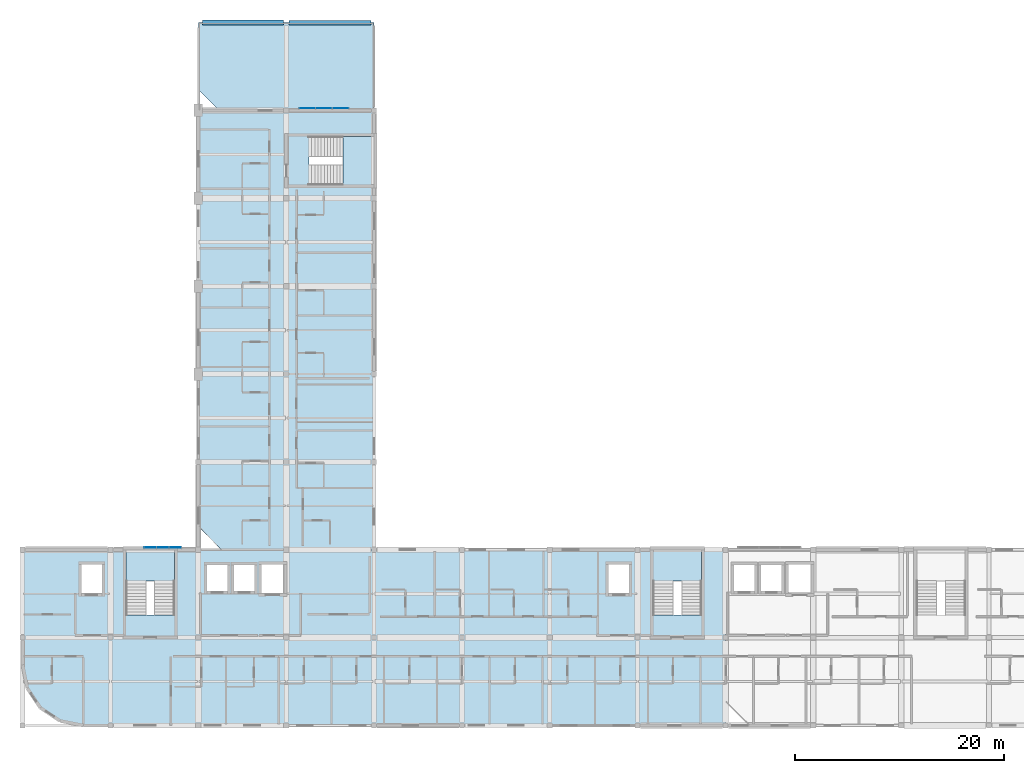
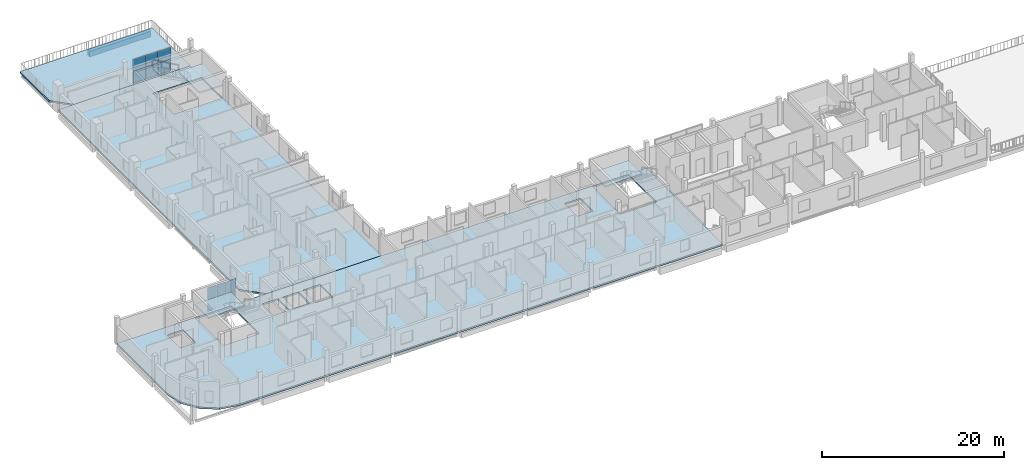
# One storey, part 7 of 20: 12 plates, 6 slabs, 2 beams, 5 elements without a shape of their own.
"""IFC4 building model written with IfcOpenShell, lengths in metres."""

import ifcopenshell
import ifcopenshell.guid

model = None  # the IFC model being written
_history = None  # IfcOwnerHistory: only IFC2X3 demands one
_inside = {}  # id of a spatial element -> (the spatial element, [elements in it])
_under = {}  # id of a project, library or spatial element -> (it, [spatial elements below it])
_declared = {}  # id of a project -> (the project, [libraries it declares])
_typed = {}  # id of a type object -> (the type object, [elements of that type])
_made_of = {}  # id of a material, layer set ... -> (it, [elements and type objects made of it])


def new_model(schema):
    """Start an empty IFC model of exactly this schema.

    Asked for "IFC4X3", IfcOpenShell would pick the latest addendum, in which some entities
    have other attributes; the version numbers below select the first issue.
    IFC2X3 requires an IfcOwnerHistory on every rooted entity: one is made here for all.
    """
    global model, _history
    if schema == "IFC4X3":
        model = ifcopenshell.file(schema_version=(4, 3, 0, 0))
    else:
        model = ifcopenshell.file(schema=schema)
    _inside.clear()
    _under.clear()
    _declared.clear()
    _typed.clear()
    _made_of.clear()
    _history = None
    if model.schema == "IFC2X3":
        org = make("IfcOrganization", Name="unknown")
        user = make(
            "IfcPersonAndOrganization",
            ThePerson=make("IfcPerson", FamilyName="unknown"),
            TheOrganization=org,
        )
        app = make(
            "IfcApplication",
            ApplicationDeveloper=org,
            Version="unknown",
            ApplicationFullName="unknown",
            ApplicationIdentifier="unknown",
        )
        _history = make(
            "IfcOwnerHistory",
            OwningUser=user,
            OwningApplication=app,
            ChangeAction="ADDED",
            CreationDate=0,
        )
    return model


def make(cls, **values):
    """One entity of the class cls with the attributes given. An attribute that is None is left unset."""
    return model.create_entity(
        cls, **{name: value for name, value in values.items() if value is not None}
    )


def rooted(cls, **values):
    """An entity with a GlobalId (a new one), such as an element, a storey or a relation."""
    return make(cls, GlobalId=ifcopenshell.guid.new(), OwnerHistory=_history, **values)


def si_unit(unit_type, name, prefix=None):
    """IfcSIUnit, for example si_unit("LENGTHUNIT", "METRE", prefix="MILLI")."""
    return make("IfcSIUnit", UnitType=unit_type, Prefix=prefix, Name=name)


def derived_unit(unit_type, elements):
    """IfcDerivedUnit: a product of units, each with its exponent."""
    return make(
        "IfcDerivedUnit",
        Elements=[
            make("IfcDerivedUnitElement", Unit=unit, Exponent=power)
            for unit, power in elements
        ],
        UnitType=unit_type,
    )


def assignment(units):
    """IfcUnitAssignment: the units of a project."""
    return None if units is None else make("IfcUnitAssignment", Units=units)


def point(xyz):
    """IfcCartesianPoint."""
    return None if xyz is None else make("IfcCartesianPoint", Coordinates=xyz)


def direction(xyz):
    """IfcDirection."""
    return None if xyz is None else make("IfcDirection", DirectionRatios=xyz)


def frame(location, z_axis=None, x_axis=None):
    """IfcAxis2Placement3D, a coordinate frame: its origin and axes. An axis left out is left unset."""
    return make(
        "IfcAxis2Placement3D",
        Location=point(location),
        Axis=direction(z_axis),
        RefDirection=direction(x_axis),
    )


def frame_2d(location, x_axis=None):
    """IfcAxis2Placement2D, a coordinate frame in the plane: its origin and x axis."""
    return make(
        "IfcAxis2Placement2D", Location=point(location), RefDirection=direction(x_axis)
    )


def origin():
    """The frame at (0, 0, 0) with its axes left unset."""
    return frame((0.0, 0.0, 0.0))


def origin_2d():
    """The frame at (0, 0) in the plane with its x axis left unset."""
    return frame_2d((0.0, 0.0))


def place(relative_to, where):
    """IfcLocalPlacement: puts the frame where relative to a parent placement (None: the world)."""
    return make(
        "IfcLocalPlacement", PlacementRelTo=relative_to, RelativePlacement=where
    )


def context(
    kind, dimensions, precision=None, world=None, true_north=None, identifier=None
):
    """IfcGeometricRepresentationContext, for example the 3D "Model" context."""
    return make(
        "IfcGeometricRepresentationContext",
        ContextIdentifier=identifier,
        ContextType=kind,
        CoordinateSpaceDimension=dimensions,
        Precision=precision,
        WorldCoordinateSystem=world,
        TrueNorth=true_north,
    )


def subcontext(parent, identifier, kind, view, scale=None):
    """IfcGeometricRepresentationSubContext, for example "Body" below "Model"."""
    return make(
        "IfcGeometricRepresentationSubContext",
        ContextIdentifier=identifier,
        ContextType=kind,
        ParentContext=parent,
        TargetScale=scale,
        TargetView=view,
    )


def project(units=None, contexts=None):
    """IfcProject with its units and contexts."""
    return rooted(
        "IfcProject",
        Name="project",
        RepresentationContexts=contexts,
        UnitsInContext=assignment(units),
    )


def spatial(cls, under=None, at=None, **own):
    """A site, building, storey or space (cls), placed at a placement, below another one or the project."""
    s = rooted(cls, ObjectPlacement=at, **own)
    if under is not None:
        _under.setdefault(under.id(), (under, []))[1].append(s)
    return s


def polyline(points):
    """IfcPolyline through the points."""
    return make("IfcPolyline", Points=[point(p) for p in points])


def profile(cls, at=None, kind="AREA", **sizes):
    """A parametric profile (cls). Its sizes go by their IFC names, for example OverallWidth=200.0."""
    return make(cls, ProfileType=kind, Position=at, **sizes)


def rectangle(**sizes):
    """IfcRectangleProfileDef."""
    return profile("IfcRectangleProfileDef", **sizes)


def outline(outer, holes=None, kind="AREA"):
    """IfcArbitraryClosedProfileDef: a profile drawn as a closed curve; with holes, ...WithVoids."""
    if holes is None:
        return make("IfcArbitraryClosedProfileDef", ProfileType=kind, OuterCurve=outer)
    return make(
        "IfcArbitraryProfileDefWithVoids",
        ProfileType=kind,
        OuterCurve=outer,
        InnerCurves=holes,
    )


def extrude(swept, where, along, depth):
    """IfcExtrudedAreaSolid: the profile swept, set in the frame where, extruded along a direction by depth."""
    return make(
        "IfcExtrudedAreaSolid",
        SweptArea=swept,
        Position=where,
        ExtrudedDirection=direction(along),
        Depth=depth,
    )


def shape(context_of_items, identifier, shape_type, items):
    """IfcShapeRepresentation: the items that make up one representation, for example the "Body"."""
    return make(
        "IfcShapeRepresentation",
        ContextOfItems=context_of_items,
        RepresentationIdentifier=identifier,
        RepresentationType=shape_type,
        Items=items,
    )


def material(Name=None, Category=None):
    """IfcMaterial."""
    return make("IfcMaterial", Name=Name, Category=Category)


def layer(
    of_material, thickness, ventilated=None, Name=None, Category=None, Priority=None
):
    """IfcMaterialLayer: one layer of a wall or slab, of a material (None: an air gap)."""
    return make(
        "IfcMaterialLayer",
        Material=of_material,
        LayerThickness=thickness,
        IsVentilated=ventilated,
        Name=Name,
        Category=Category,
        Priority=Priority,
    )


def layer_set(layers, Name=None):
    """IfcMaterialLayerSet."""
    return make("IfcMaterialLayerSet", MaterialLayers=layers, LayerSetName=Name)


def material_profile(
    of_material, cross_section, Name=None, Category=None, Priority=None
):
    """IfcMaterialProfile: a cross section and its material."""
    return make(
        "IfcMaterialProfile",
        Name=Name,
        Material=of_material,
        Profile=cross_section,
        Priority=Priority,
        Category=Category,
    )


def profile_set(profiles, Name=None, composite=None):
    """IfcMaterialProfileSet."""
    return make(
        "IfcMaterialProfileSet",
        Name=Name,
        MaterialProfiles=profiles,
        CompositeProfile=composite,
    )


def made_of(thing, what):
    """Note that an element or type object is made of a material, layer set ...; save() writes the relation."""
    if what is not None:
        _made_of.setdefault(what.id(), (what, []))[1].append(thing)
    return thing


def type_object(cls, material=None, **own):
    """A type object (cls), such as IfcWallType, which elements share."""
    return made_of(rooted(cls, **own), material)


def element(
    cls,
    number,
    at=None,
    inside=None,
    cuts=None,
    type_object=None,
    material=None,
    context=None,
    identifier="Body",
    shape_type=None,
    held_by="IfcProductDefinitionShape",
    body=None,
    shapes=None,
    **own,
):
    """One element of the class cls, such as IfcWall. Its Tag is "e" and its number.

    at: its placement. inside: the storey or other place that contains it. cuts: it is an
    opening in that element (IfcRelVoidsElement). A single representation is given by context,
    identifier, shape_type and body (its items); several are given by shapes. held_by: the class
    of the entity that holds the representations. save() writes the other relations.
    """
    e = rooted(cls, Tag="e%d" % number, ObjectPlacement=at, **own)
    if body is not None:
        shapes = [shape(context, identifier, shape_type, body)]
    if shapes is not None:
        e.Representation = make(held_by, Representations=shapes)
    if inside is not None:
        _inside.setdefault(inside.id(), (inside, []))[1].append(e)
    if cuts is not None:
        rooted(
            "IfcRelVoidsElement", RelatingBuildingElement=cuts, RelatedOpeningElement=e
        )
    if type_object is not None:
        _typed.setdefault(type_object.id(), (type_object, []))[1].append(e)
    return made_of(e, material)


def aggregate(whole, parts):
    """IfcRelAggregates: a whole, such as a stair, and the parts it consists of."""
    return rooted("IfcRelAggregates", RelatingObject=whole, RelatedObjects=parts)


def save(model, path):
    """Write the relations noted so far, then the file.

    IfcRelAggregates (storeys below a building ...), IfcRelContainedInSpatialStructure (elements
    in a storey), IfcRelDefinesByType, IfcRelAssociatesMaterial and IfcRelDeclares: one each for
    every whole, place, type object, material and project.
    """
    for whole, parts in _under.values():
        aggregate(whole, parts)
    for where, things in _inside.values():
        rooted(
            "IfcRelContainedInSpatialStructure",
            RelatedElements=things,
            RelatingStructure=where,
        )
    for kind, things in _typed.values():
        rooted("IfcRelDefinesByType", RelatedObjects=things, RelatingType=kind)
    for what, things in _made_of.values():
        rooted("IfcRelAssociatesMaterial", RelatedObjects=things, RelatingMaterial=what)
    for by, libraries in _declared.values():
        rooted("IfcRelDeclares", RelatingContext=by, RelatedDefinitions=libraries)
    model.write(path)


model = new_model("IFC4")

# Units and contexts
model_context = context("Model", 3, precision=1e-05, world=origin(), true_north=direction((0.0, 1.0)))
body_context = subcontext(model_context, "Body", "Model", "MODEL_VIEW")
ifc_project = project(units=[si_unit("LENGTHUNIT", "METRE"), si_unit("AREAUNIT", "SQUARE_METRE"), si_unit("VOLUMEUNIT", "CUBIC_METRE"), si_unit("PLANEANGLEUNIT", "RADIAN"), si_unit("MASSUNIT", "GRAM", prefix="KILO"), derived_unit("THERMALTRANSMITTANCEUNIT", [(si_unit("POWERUNIT", "WATT"), 1), (si_unit("LENGTHUNIT", "METRE"), -2), (si_unit("THERMODYNAMICTEMPERATUREUNIT", "KELVIN"), -1)])], contexts=[model_context])

# Site, building, storey
site_placement = place(None, origin())
site = spatial("IfcSite", under=ifc_project, at=site_placement, CompositionType="ELEMENT")
building_placement = place(site_placement, origin())
building = spatial("IfcBuilding", under=site, at=building_placement, Name="Barrovel Congress Hotel", CompositionType="ELEMENT")
storey_placement = place(building_placement, frame((0.0, 0.0, 39.89990234375)))
storey = spatial("IfcBuildingStorey", under=building, at=storey_placement, Name="L10", CompositionType="ELEMENT", Elevation=39.89990234375)

# Beams
ifc_material_1 = material(Name="Concrete C40", Category="concrete")
ifc_material_profile_1 = material_profile(ifc_material_1, rectangle(XDim=0.449951171875, YDim=0.75, at=origin_2d()), Name="RC450x750")
ifc_profile_set_1 = profile_set([ifc_material_profile_1], Name="Concrete C40")
beam_type_1 = type_object("IfcBeamType", Name="BM-RC450x750", PredefinedType="BEAM", material=ifc_profile_set_1)
beam_1_placement = place(storey_placement, frame((42.27490234375, 71.39990234375, -0.594970703125), z_axis=(1.0, 0.0, 0.0), x_axis=(0.0, 1.0, 0.0)))
element("IfcBeam", 1, at=beam_1_placement, inside=storey, type_object=beam_type_1, Name="BMX:L10:71.4:42.0-50.4", PredefinedType="BEAM", context=body_context, shape_type="SweptSolid", body=[
    extrude(rectangle(XDim=0.449951171875, YDim=0.75, at=origin_2d()), origin(), (0.0, 0.0, 1.0), 7.85009765625),
])
ifc_material_profile_2 = material_profile(ifc_material_1, rectangle(XDim=0.5, YDim=0.75, at=origin_2d()), Name="RC500x750")
ifc_profile_set_2 = profile_set([ifc_material_profile_2], Name="Concrete C40")
beam_type_2 = type_object("IfcBeamType", Name="BM-RC500x750", PredefinedType="BEAM", material=ifc_profile_set_2)
beam_2_placement = place(storey_placement, frame((34.0, 71.39990234375, -0.594970703125), z_axis=(1.0, 0.0, 0.0), x_axis=(0.0, 1.0, 0.0)))
element("IfcBeam", 2, at=beam_2_placement, inside=storey, type_object=beam_type_2, Name="BMX:L10:71.4:33.6-42.0", PredefinedType="BEAM", context=body_context, shape_type="SweptSolid", body=[
    extrude(rectangle(XDim=0.5, YDim=0.75, at=origin_2d()), origin(), (0.0, 0.0, 1.0), 7.72509765625),
])

# Curtain wall, plates
ifc_material_2 = material(Name="Anodised Aluminium Alloy 6063-T6", Category="aluminium")
curtain_wall_type_1 = type_object("IfcCurtainWallType", Name="CW-UN-4800x3200", PredefinedType="USERDEFINED", material=ifc_material_2)
curtain_wall_1_placement = place(storey_placement, origin())
curtain_wall_1 = element("IfcCurtainWall", 3, at=curtain_wall_1_placement, inside=storey, type_object=curtain_wall_type_1, Name="CW:L10:UN-2", ObjectType="UNITISED CURTAIN WALL", PredefinedType="USERDEFINED")
ifc_material_3 = material(Name="Double Low-E Insulated Glazing", Category="glass")
ifc_layer_1 = layer(ifc_material_3, 0.028076171875)
ifc_layer_set_1 = layer_set([ifc_layer_1], Name="Double Low-E Insulated Glazing")
plate_type_1 = type_object("IfcPlateType", Name="CWP-28", PredefinedType="CURTAIN_PANEL", material=ifc_layer_set_1)
plate_1_placement = place(storey_placement, frame((44.0, 63.219970703125, 0.030029296875), z_axis=(0.0, 0.0, 1.0), x_axis=(1.0, 0.0, 0.0)))
plate_1 = element("IfcPlate", 4, at=plate_1_placement, type_object=plate_type_1, Name="CW:L10:UN-2:P0-0", PredefinedType="CURTAIN_PANEL", context=body_context, shape_type="SweptSolid", body=[
    extrude(rectangle(XDim=1.5400390625, YDim=0.028076171875, at=origin_2d()), origin(), (0.0, 0.0, 1.0), 1.56494140625),
])
plate_2_placement = place(storey_placement, frame((44.0, 63.219970703125, 1.655029296875), z_axis=(0.0, 0.0, 1.0), x_axis=(1.0, 0.0, 0.0)))
plate_2 = element("IfcPlate", 5, at=plate_2_placement, type_object=plate_type_1, Name="CW:L10:UN-2:P0-1", PredefinedType="CURTAIN_PANEL", context=body_context, shape_type="SweptSolid", body=[
    extrude(rectangle(XDim=1.5400390625, YDim=0.028076171875, at=origin_2d()), origin(), (0.0, 0.0, 1.0), 1.56494140625),
])
plate_3_placement = place(storey_placement, frame((45.60009765625, 63.219970703125, 0.030029296875), z_axis=(0.0, 0.0, 1.0), x_axis=(1.0, 0.0, 0.0)))
plate_3 = element("IfcPlate", 6, at=plate_3_placement, type_object=plate_type_1, Name="CW:L10:UN-2:P1-0", PredefinedType="CURTAIN_PANEL", context=body_context, shape_type="SweptSolid", body=[
    extrude(rectangle(XDim=1.5400390625, YDim=0.028076171875, at=origin_2d()), origin(), (0.0, 0.0, 1.0), 1.56494140625),
])
plate_4_placement = place(storey_placement, frame((45.60009765625, 63.219970703125, 1.655029296875), z_axis=(0.0, 0.0, 1.0), x_axis=(1.0, 0.0, 0.0)))
plate_4 = element("IfcPlate", 7, at=plate_4_placement, type_object=plate_type_1, Name="CW:L10:UN-2:P1-1", PredefinedType="CURTAIN_PANEL", context=body_context, shape_type="SweptSolid", body=[
    extrude(rectangle(XDim=1.5400390625, YDim=0.028076171875, at=origin_2d()), origin(), (0.0, 0.0, 1.0), 1.56494140625),
])
plate_5_placement = place(storey_placement, frame((47.199951171875, 63.219970703125, 0.030029296875), z_axis=(0.0, 0.0, 1.0), x_axis=(1.0, 0.0, 0.0)))
plate_5 = element("IfcPlate", 8, at=plate_5_placement, type_object=plate_type_1, Name="CW:L10:UN-2:P2-0", PredefinedType="CURTAIN_PANEL", context=body_context, shape_type="SweptSolid", body=[
    extrude(rectangle(XDim=1.5400390625, YDim=0.028076171875, at=origin_2d()), origin(), (0.0, 0.0, 1.0), 1.56494140625),
])
plate_6_placement = place(storey_placement, frame((47.199951171875, 63.219970703125, 1.655029296875), z_axis=(0.0, 0.0, 1.0), x_axis=(1.0, 0.0, 0.0)))
plate_6 = element("IfcPlate", 9, at=plate_6_placement, type_object=plate_type_1, Name="CW:L10:UN-2:P2-1", PredefinedType="CURTAIN_PANEL", context=body_context, shape_type="SweptSolid", body=[
    extrude(rectangle(XDim=1.5400390625, YDim=0.028076171875, at=origin_2d()), origin(), (0.0, 0.0, 1.0), 1.56494140625),
])
aggregate(curtain_wall_1, [plate_1, plate_2, plate_3, plate_4, plate_5, plate_6])

curtain_wall_type_2 = type_object("IfcCurtainWallType", Name="CW-UN-3600x3200", PredefinedType="USERDEFINED", material=ifc_material_2)
curtain_wall_2_placement = place(storey_placement, origin())
curtain_wall_2 = element("IfcCurtainWall", 10, at=curtain_wall_2_placement, inside=storey, type_object=curtain_wall_type_2, Name="CW:L10:UN-3", ObjectType="UNITISED CURTAIN WALL", PredefinedType="USERDEFINED")
ifc_layer_2 = layer(ifc_material_3, 0.031982421875)
ifc_layer_set_2 = layer_set([ifc_layer_2], Name="Double Low-E Insulated Glazing")
plate_type_2 = type_object("IfcPlateType", Name="CWP-32", PredefinedType="CURTAIN_PANEL", material=ifc_layer_set_2)
plate_7_placement = place(storey_placement, frame((29.0, 21.219970703125, 0.030029296875), z_axis=(0.0, 0.0, 1.0), x_axis=(1.0, 0.0, 0.0)))
plate_7 = element("IfcPlate", 11, at=plate_7_placement, type_object=plate_type_2, Name="CW:L10:UN-3:P0-0", PredefinedType="CURTAIN_PANEL", context=body_context, shape_type="SweptSolid", body=[
    extrude(rectangle(XDim=1.139892578125, YDim=0.031982421875, at=origin_2d()), origin(), (0.0, 0.0, 1.0), 1.56494140625),
])
plate_8_placement = place(storey_placement, frame((29.0, 21.219970703125, 1.655029296875), z_axis=(0.0, 0.0, 1.0), x_axis=(1.0, 0.0, 0.0)))
plate_8 = element("IfcPlate", 12, at=plate_8_placement, type_object=plate_type_2, Name="CW:L10:UN-3:P0-1", PredefinedType="CURTAIN_PANEL", context=body_context, shape_type="SweptSolid", body=[
    extrude(rectangle(XDim=1.139892578125, YDim=0.031982421875, at=origin_2d()), origin(), (0.0, 0.0, 1.0), 1.56494140625),
])
plate_9_placement = place(storey_placement, frame((30.199951171875, 21.219970703125, 0.030029296875), z_axis=(0.0, 0.0, 1.0), x_axis=(1.0, 0.0, 0.0)))
plate_9 = element("IfcPlate", 13, at=plate_9_placement, type_object=plate_type_2, Name="CW:L10:UN-3:P1-0", PredefinedType="CURTAIN_PANEL", context=body_context, shape_type="SweptSolid", body=[
    extrude(rectangle(XDim=1.139892578125, YDim=0.031982421875, at=origin_2d()), origin(), (0.0, 0.0, 1.0), 1.56494140625),
])
plate_10_placement = place(storey_placement, frame((30.199951171875, 21.219970703125, 1.655029296875), z_axis=(0.0, 0.0, 1.0), x_axis=(1.0, 0.0, 0.0)))
plate_10 = element("IfcPlate", 14, at=plate_10_placement, type_object=plate_type_2, Name="CW:L10:UN-3:P1-1", PredefinedType="CURTAIN_PANEL", context=body_context, shape_type="SweptSolid", body=[
    extrude(rectangle(XDim=1.139892578125, YDim=0.031982421875, at=origin_2d()), origin(), (0.0, 0.0, 1.0), 1.56494140625),
])
plate_11_placement = place(storey_placement, frame((31.39990234375, 21.219970703125, 0.030029296875), z_axis=(0.0, 0.0, 1.0), x_axis=(1.0, 0.0, 0.0)))
plate_11 = element("IfcPlate", 15, at=plate_11_placement, type_object=plate_type_2, Name="CW:L10:UN-3:P2-0", PredefinedType="CURTAIN_PANEL", context=body_context, shape_type="SweptSolid", body=[
    extrude(rectangle(XDim=1.139892578125, YDim=0.031982421875, at=origin_2d()), origin(), (0.0, 0.0, 1.0), 1.56494140625),
])
plate_12_placement = place(storey_placement, frame((31.39990234375, 21.219970703125, 1.655029296875), z_axis=(0.0, 0.0, 1.0), x_axis=(1.0, 0.0, 0.0)))
plate_12 = element("IfcPlate", 16, at=plate_12_placement, type_object=plate_type_2, Name="CW:L10:UN-3:P2-1", PredefinedType="CURTAIN_PANEL", context=body_context, shape_type="SweptSolid", body=[
    extrude(rectangle(XDim=1.139892578125, YDim=0.031982421875, at=origin_2d()), origin(), (0.0, 0.0, 1.0), 1.56494140625),
])
aggregate(curtain_wall_2, [plate_7, plate_8, plate_9, plate_10, plate_11, plate_12])

# Slabs
ifc_material_4 = material(Name="Concrete C35", Category="concrete")
ifc_layer_3 = layer(ifc_material_4, 0.219970703125)
ifc_layer_set_3 = layer_set([ifc_layer_3], Name="Concrete C35")
slab_type_1 = type_object("IfcSlabType", Name="SL-F220", PredefinedType="FLOOR", material=ifc_layer_set_3)
slab_1_placement = place(storey_placement, frame((0.0, 0.0, -0.219970703125)))
element("IfcSlab", 17, at=slab_1_placement, inside=storey, type_object=slab_type_1, Name="SLAB:L10:HOT-S1", PredefinedType="FLOOR", context=body_context, shape_type="SweptSolid", body=[
    extrude(outline(polyline([(16.800048828125, 10.0), (17.241455078125, 7.780517578125), (18.498779296875, 5.898681640625), (20.38037109375, 4.6416015625), (22.60009765625, 4.199951171875), (84.0, 4.199951171875), (84.0, 21.0), (16.800048828125, 21.0), (16.800048828125, 10.0)]), holes=[polyline([(26.699951171875, 14.780029296875), (26.699951171875, 20.919921875), (31.300048828125, 20.919921875), (31.300048828125, 14.780029296875), (26.699951171875, 14.780029296875)]), polyline([(77.10009765625, 14.780029296875), (77.10009765625, 20.919921875), (81.699951171875, 20.919921875), (81.699951171875, 14.780029296875), (77.10009765625, 14.780029296875)]), polyline([(22.39990234375, 16.800048828125), (22.39990234375, 19.60009765625), (24.39990234375, 19.60009765625), (24.39990234375, 16.800048828125), (22.39990234375, 16.800048828125)]), polyline([(72.800048828125, 16.800048828125), (72.800048828125, 19.60009765625), (74.800048828125, 19.60009765625), (74.800048828125, 16.800048828125), (72.800048828125, 16.800048828125)]), polyline([(34.39990234375, 17.050048828125), (34.39990234375, 19.550048828125), (36.39990234375, 19.550048828125), (36.39990234375, 17.050048828125), (34.39990234375, 17.050048828125)]), polyline([(37.0, 17.050048828125), (37.0, 19.550048828125), (39.0, 19.550048828125), (39.0, 17.050048828125), (37.0, 17.050048828125)]), polyline([(39.60009765625, 16.800048828125), (39.60009765625, 19.60009765625), (41.800048828125, 19.60009765625), (41.800048828125, 16.800048828125), (39.60009765625, 16.800048828125)])]), origin(), (0.0, 0.0, 1.0), 0.219970703125),
])
slab_2_placement = place(storey_placement, frame((0.0, 0.0, -0.219970703125)))
element("IfcSlab", 18, at=slab_2_placement, inside=storey, type_object=slab_type_1, Name="SLAB:L10:HOT-W1", PredefinedType="FLOOR", context=body_context, shape_type="SweptSolid", body=[
    extrude(outline(polyline([(35.800048828125, 21.0), (50.39990234375, 21.0), (50.39990234375, 63.0), (33.60009765625, 63.0), (33.60009765625, 23.199951171875), (35.800048828125, 21.0)]), holes=[polyline([(44.179931640625, 55.89990234375), (44.179931640625, 60.5), (50.320068359375, 60.5), (50.320068359375, 55.89990234375), (44.179931640625, 55.89990234375)])]), origin(), (0.0, 0.0, 1.0), 0.219970703125),
])
slab_3_placement = place(storey_placement, frame((0.0, 0.0, -0.219970703125)))
element("IfcSlab", 19, at=slab_3_placement, inside=storey, type_object=slab_type_1, Name="SLAB:L10:TERR-N", PredefinedType="FLOOR", context=body_context, shape_type="SweptSolid", body=[
    extrude(outline(polyline([(35.60009765625, 63.0), (50.39990234375, 63.0), (50.39990234375, 71.39990234375), (33.60009765625, 71.39990234375), (33.60009765625, 65.0), (35.60009765625, 63.0)])), origin(), (0.0, 0.0, 1.0), 0.219970703125),
])

# Stair, slab
stair_type_1 = type_object("IfcStairType", Name="STR-HT-360", PredefinedType="HALF_TURN_STAIR", material=ifc_material_1)
stair_1_placement = place(storey_placement, origin())
stair_1 = element("IfcStair", 20, at=stair_1_placement, inside=storey, type_object=stair_type_1, Name="Exit Stair XS-01 (L10)", PredefinedType="HALF_TURN_STAIR")
ifc_layer_4 = layer(ifc_material_1, 0.18994140625)
ifc_layer_set_4 = layer_set([ifc_layer_4], Name="Concrete C40")
slab_type_2 = type_object("IfcSlabType", Name="SL-LDG-190", PredefinedType="LANDING", material=ifc_layer_set_4)
slab_4_placement = place(storey_placement, frame((0.0, 0.0, 1.610107421875)))
slab_4 = element("IfcSlab", 21, at=slab_4_placement, type_object=slab_type_2, Name="STAIR:XS-01:L10:LDG", PredefinedType="LANDING", context=body_context, shape_type="SweptSolid", body=[
    extrude(outline(polyline([(26.679931640625, 18.010009765625), (31.320068359375, 18.010009765625), (31.320068359375, 21.02001953125), (26.679931640625, 21.02001953125), (26.679931640625, 18.010009765625)])), origin(), (0.0, 0.0, 1.0), 0.18994140625),
])
aggregate(stair_1, [slab_4])

stair_2_placement = place(storey_placement, origin())
stair_2 = element("IfcStair", 22, at=stair_2_placement, inside=storey, type_object=stair_type_1, Name="Exit Stair XS-02 (L10)", PredefinedType="HALF_TURN_STAIR")
ifc_layer_5 = layer(ifc_material_1, 0.2099609375)
ifc_layer_set_5 = layer_set([ifc_layer_5], Name="Concrete C40")
slab_type_3 = type_object("IfcSlabType", Name="SL-LDG-210", PredefinedType="LANDING", material=ifc_layer_set_5)
slab_5_placement = place(storey_placement, frame((0.0, 0.0, 1.590087890625)))
slab_5 = element("IfcSlab", 23, at=slab_5_placement, type_object=slab_type_3, Name="STAIR:XS-02:L10:LDG", PredefinedType="LANDING", context=body_context, shape_type="SweptSolid", body=[
    extrude(outline(polyline([(77.080078125, 18.010009765625), (81.719970703125, 18.010009765625), (81.719970703125, 21.02001953125), (77.080078125, 21.02001953125), (77.080078125, 18.010009765625)])), origin(), (0.0, 0.0, 1.0), 0.2099609375),
])
aggregate(stair_2, [slab_5])

stair_type_2 = type_object("IfcStairType", Name="STR-DR-360", PredefinedType="DOUBLE_RETURN_STAIR", material=ifc_material_1)
stair_3_placement = place(storey_placement, origin())
stair_3 = element("IfcStair", 24, at=stair_3_placement, inside=storey, type_object=stair_type_2, Name="Exit Stair XS-05 (L10)", PredefinedType="DOUBLE_RETURN_STAIR")
slab_6_placement = place(storey_placement, frame((0.0, 0.0, 1.590087890625)))
slab_6 = element("IfcSlab", 25, at=slab_6_placement, type_object=slab_type_3, Name="STAIR:XS-05:L10:LDG", PredefinedType="LANDING", context=body_context, shape_type="SweptSolid", body=[
    extrude(outline(polyline([(47.409912109375, 55.8798828125), (50.419921875, 55.8798828125), (50.419921875, 60.52001953125), (47.409912109375, 60.52001953125), (47.409912109375, 55.8798828125)])), origin(), (0.0, 0.0, 1.0), 0.2099609375),
])
aggregate(stair_3, [slab_6])

save(model, "model.ifc")
